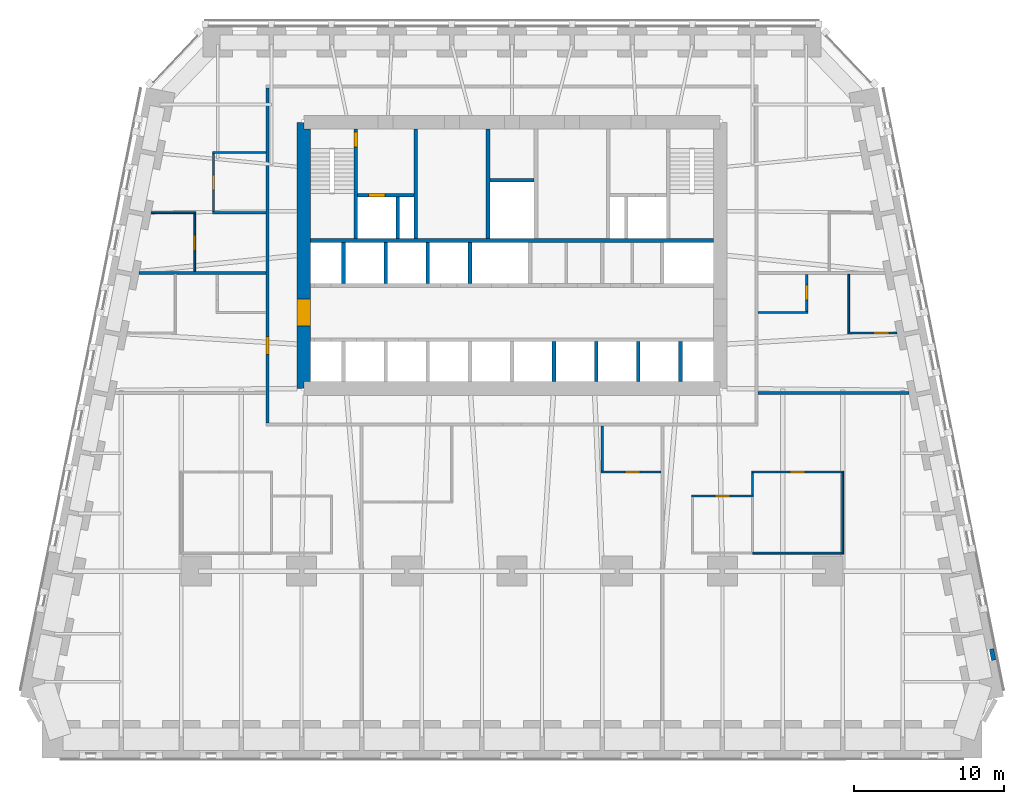
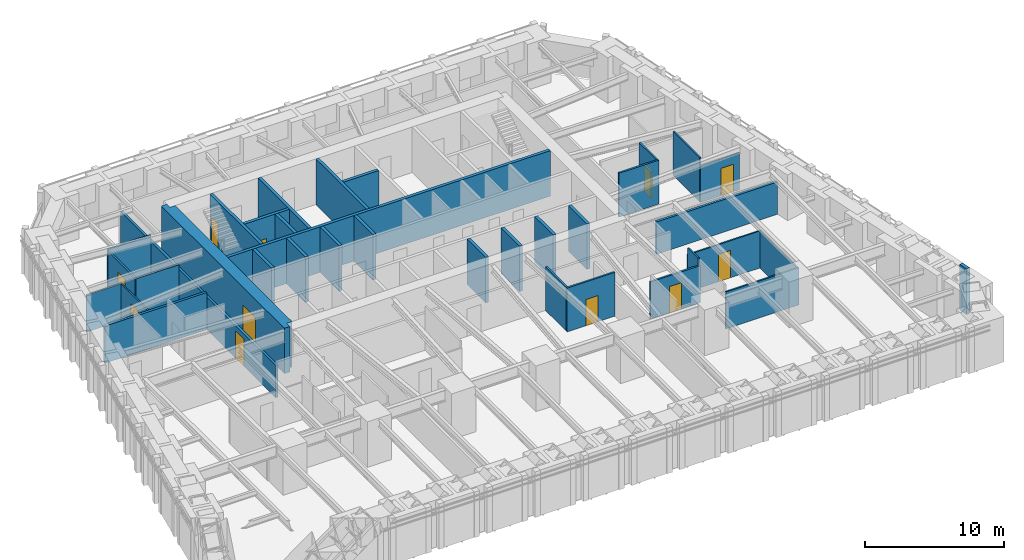
# One storey, part 13 of 16: 36 walls, 11 doors, 11 openings.
"""IFC4 building model written with IfcOpenShell, lengths in metres."""

from ifc_helpers import new_model, si_unit, direction, frame, frame_2d, origin, place, context, subcontext, project, spatial, polyline, rectangle, outline, extrude, material, layer, layer_set, type_object, element, fill, save


model = new_model("IFC4")

# Units and contexts
model_context = context("Model", 3, precision=1e-05, world=origin(), true_north=direction((0.0, 1.0)))
body_context = subcontext(model_context, "Body", "Model", "MODEL_VIEW")
ifc_project = project(units=[si_unit("LENGTHUNIT", "METRE"), si_unit("AREAUNIT", "SQUARE_METRE"), si_unit("VOLUMEUNIT", "CUBIC_METRE"), si_unit("PLANEANGLEUNIT", "RADIAN"), si_unit("MASSUNIT", "GRAM", prefix="KILO")], contexts=[model_context])

# Site, building, storey
site_placement = place(None, origin())
site = spatial("IfcSite", under=ifc_project, at=site_placement, CompositionType="ELEMENT")
building_placement = place(site_placement, origin())
building = spatial("IfcBuilding", under=site, at=building_placement, Name="Isbrekke Arena Tower", CompositionType="ELEMENT")
storey_placement = place(building_placement, frame((0.0, 0.0, 40.0)))
storey = spatial("IfcBuildingStorey", under=building, at=storey_placement, Name="L07", CompositionType="ELEMENT", Elevation=40.0)

# Wall, opening, door
ifc_material_1 = material(Name="Concrete B65 (C65/80)", Category="concrete")
ifc_layer_1 = layer(ifc_material_1, 0.89990234375)
ifc_layer_set_1 = layer_set([ifc_layer_1], Name="CW2 CORE WALL 900")
wall_type_1 = type_object("IfcWallType", Name="CW2 CORE WALL 900", PredefinedType="SHEAR", material=ifc_layer_set_1)
wall_1_placement = place(storey_placement, frame((-13.85009765625, 23.85009765625, 0.0), z_axis=(0.0, 0.0, 1.0), x_axis=(0.0, -1.0, 0.0)))
wall_1 = element("IfcWall", 1, at=wall_1_placement, inside=storey, type_object=wall_type_1, Name="Core wall W L07", PredefinedType="SHEAR", context=body_context, shape_type="SweptSolid", body=[
    extrude(outline(polyline([(0.0, -0.449951171875), (17.7001953125, -0.449951171875), (17.7001953125, 0.0), (17.250244140625, 0.0), (17.250244140625, 0.449951171875), (0.449951171875, 0.449951171875), (0.449951171875, 0.0), (0.0, 0.0), (0.0, -0.449951171875)])), origin(), (0.0, 0.0, 1.0), 4.0),
])
opening_1_placement = place(wall_1_placement, frame((11.75, 0.0, 0.0)))
opening_1 = element("IfcOpeningElement", 2, at=opening_1_placement, cuts=wall_1, Name="Opening D1", PredefinedType="OPENING", context=body_context, shape_type="SweptSolid", body=[
    extrude(rectangle(XDim=1.800048828125, YDim=2.39990234375, at=frame_2d((0.89990234375, 1.199951171875))), frame((0.0, 0.46484375, 0.0), z_axis=(0.0, -1.0, 0.0), x_axis=(1.0, 0.0, 0.0)), (0.0, 0.0, 1.0), 0.9296875),
])
ifc_material_2 = material(Name="Steel-framed glazed fire door", Category="steel")
door_type_1 = type_object("IfcDoorType", Name="D1 CORE LOBBY DOOR 1800 x 2400", OperationType="DOUBLE_DOOR_SINGLE_SWING", PredefinedType="DOOR", material=ifc_material_2)
door_1_placement = place(opening_1_placement, origin())
door_1 = element("IfcDoor", 3, at=door_1_placement, inside=storey, type_object=door_type_1, Name="D1 lift lobby door west L07", OperationType="DOUBLE_DOOR_SINGLE_SWING", OverallHeight=2.39990234375, OverallWidth=1.800048828125, PredefinedType="DOOR", context=body_context, shape_type="SweptSolid", body=[
    extrude(rectangle(XDim=1.800048828125, YDim=2.39990234375, at=frame_2d((0.89990234375, 1.199951171875))), frame((0.0, 0.44970703125, 0.0), z_axis=(0.0, -1.0, 0.0), x_axis=(1.0, 0.0, 0.0)), (0.0, 0.0, 1.0), 0.8994140625),
])
fill(opening_1, door_1)

# Walls
ifc_material_3 = material(Name="Concrete B45 (C45/55)", Category="concrete")
ifc_layer_2 = layer(ifc_material_3, 0.25)
ifc_layer_set_2 = layer_set([ifc_layer_2], Name="CW6 SHAFT WALL 250")
wall_type_2 = type_object("IfcWallType", Name="CW6 SHAFT WALL 250", PredefinedType="SHEAR", material=ifc_layer_set_2)
wall_2_placement = place(storey_placement, frame((-13.39990234375, 16.0, 0.0), z_axis=(0.0, 0.0, 1.0), x_axis=(1.0, 0.0, 0.0)))
element("IfcWall", 4, at=wall_2_placement, inside=storey, type_object=wall_type_2, Name="Core wall NB L07", PredefinedType="SHEAR", context=body_context, shape_type="SweptSolid", body=[
    extrude(rectangle(XDim=26.7998046875, YDim=0.25, at=frame_2d((13.39990234375, 0.0))), origin(), (0.0, 0.0, 1.0), 4.0),
])
for number, where, z_axis, x_axis, name in (
    (5, (2.800048828125, 6.60009765625, 0.0), (0.0, 0.0, 1.0), (0.0, 1.0, 0.0), "Core wall SS06 L07"),
    (6, (5.60009765625, 6.60009765625, 0.0), (0.0, 0.0, 1.0), (0.0, 1.0, 0.0), "Core wall SS07 L07"),
    (7, (8.39990234375, 6.60009765625, 0.0), (0.0, 0.0, 1.0), (0.0, 1.0, 0.0), "Core wall SS08 L07"),
    (8, (11.199951171875, 6.60009765625, 0.0), (0.0, 0.0, 1.0), (0.0, 1.0, 0.0), "Core wall SS09 L07"),
):
    element("IfcWall", number, at=place(storey_placement, frame(where, z_axis=z_axis, x_axis=x_axis)), inside=storey, type_object=wall_type_2, Name=name, PredefinedType="SHEAR", context=body_context, shape_type="SweptSolid", body=[
        extrude(rectangle(XDim=2.6748046875, YDim=0.25, at=frame_2d((1.33740234375, 0.0))), origin(), (0.0, 0.0, 1.0), 4.0),
    ])
for number, where, z_axis, x_axis, name in (
    (9, (-11.199951171875, 13.125, 0.0), (0.0, 0.0, 1.0), (0.0, 1.0, 0.0), "Core wall SN01 L07"),
    (10, (-8.39990234375, 13.125, 0.0), (0.0, 0.0, 1.0), (0.0, 1.0, 0.0), "Core wall SN02 L07"),
    (11, (-5.60009765625, 13.125, 0.0), (0.0, 0.0, 1.0), (0.0, 1.0, 0.0), "Core wall SN03 L07"),
    (12, (-2.800048828125, 13.125, 0.0), (0.0, 0.0, 1.0), (0.0, 1.0, 0.0), "Core wall SN04 L07"),
):
    element("IfcWall", number, at=place(storey_placement, frame(where, z_axis=z_axis, x_axis=x_axis)), inside=storey, type_object=wall_type_2, Name=name, PredefinedType="SHEAR", context=body_context, shape_type="SweptSolid", body=[
        extrude(rectangle(XDim=2.75, YDim=0.25, at=frame_2d((1.375, 0.0))), origin(), (0.0, 0.0, 1.0), 4.0),
    ])

# Wall, opening, door
wall_3_placement = place(storey_placement, frame((-10.39990234375, 16.125, 0.0), z_axis=(0.0, 0.0, 1.0), x_axis=(0.0, 1.0, 0.0)))
wall_3 = element("IfcWall", 13, at=wall_3_placement, inside=storey, type_object=wall_type_2, Name="Core wall NV01 L07", PredefinedType="SHEAR", context=body_context, shape_type="SweptSolid", body=[
    extrude(rectangle(XDim=7.27490234375, YDim=0.25, at=frame_2d((3.637451171875, 0.0))), origin(), (0.0, 0.0, 1.0), 4.0),
])
opening_2_placement = place(wall_3_placement, frame((6.074951171875, 0.0, 0.0)))
opening_2 = element("IfcOpeningElement", 14, at=opening_2_placement, cuts=wall_3, Name="Opening D2", PredefinedType="OPENING", context=body_context, shape_type="SweptSolid", body=[
    extrude(rectangle(XDim=1.0, YDim=2.10009765625, at=frame_2d((0.5, 1.050048828125))), frame((0.0, 0.139892578125, 0.0), z_axis=(0.0, -1.0, 0.0), x_axis=(1.0, 0.0, 0.0)), (0.0, 0.0, 1.0), 0.27978515625),
])
ifc_material_4 = material(Name="Steel fire door", Category="steel")
door_type_2 = type_object("IfcDoorType", Name="D2 STAIR DOOR 1000 x 2100", OperationType="SINGLE_SWING_LEFT", PredefinedType="DOOR", material=ifc_material_4)
door_2_placement = place(opening_2_placement, origin())
door_2 = element("IfcDoor", 15, at=door_2_placement, inside=storey, type_object=door_type_2, Name="D2 stair door ST1 L07", OperationType="SINGLE_SWING_LEFT", OverallHeight=2.10009765625, OverallWidth=1.0, PredefinedType="DOOR", context=body_context, shape_type="SweptSolid", body=[
    extrude(rectangle(XDim=1.0, YDim=2.10009765625, at=frame_2d((0.5, 1.050048828125))), frame((0.0, 0.124755859375, 0.0), z_axis=(0.0, -1.0, 0.0), x_axis=(1.0, 0.0, 0.0)), (0.0, 0.0, 1.0), 0.24951171875),
])
fill(opening_2, door_2)

# Walls
for number, where, z_axis, x_axis, name in (
    (16, (-6.39990234375, 16.125, 0.0), (0.0, 0.0, 1.0), (0.0, 1.0, 0.0), "Core wall NV02 L07"),
    (17, (-1.60009765625, 16.125, 0.0), (0.0, 0.0, 1.0), (0.0, 1.0, 0.0), "Core wall NV03 L07"),
):
    element("IfcWall", number, at=place(storey_placement, frame(where, z_axis=z_axis, x_axis=x_axis)), inside=storey, type_object=wall_type_2, Name=name, PredefinedType="SHEAR", context=body_context, shape_type="SweptSolid", body=[
        extrude(rectangle(XDim=7.27490234375, YDim=0.25, at=frame_2d((3.637451171875, 0.0))), origin(), (0.0, 0.0, 1.0), 4.0),
    ])

# Wall, opening, door
wall_4_placement = place(storey_placement, frame((-10.27490234375, 19.0, 0.0), z_axis=(0.0, 0.0, 1.0), x_axis=(1.0, 0.0, 0.0)))
wall_4 = element("IfcWall", 18, at=wall_4_placement, inside=storey, type_object=wall_type_2, Name="Core wall NFW L07", PredefinedType="SHEAR", context=body_context, shape_type="SweptSolid", body=[
    extrude(rectangle(XDim=3.75, YDim=0.25, at=frame_2d((1.875, 0.0))), origin(), (0.0, 0.0, 1.0), 4.0),
])
opening_3_placement = place(wall_4_placement, frame((0.72509765625, 0.0, 0.0)))
opening_3 = element("IfcOpeningElement", 19, at=opening_3_placement, cuts=wall_4, Name="Opening LD2", PredefinedType="OPENING", context=body_context, shape_type="SweptSolid", body=[
    extrude(rectangle(XDim=1.10009765625, YDim=2.10009765625, at=frame_2d((0.550048828125, 1.050048828125))), frame((0.0, 0.139892578125, 0.0), z_axis=(0.0, -1.0, 0.0), x_axis=(1.0, 0.0, 0.0)), (0.0, 0.0, 1.0), 0.27978515625),
])
ifc_material_5 = material(Name="Stainless steel lift landing door", Category="steel")
door_type_3 = type_object("IfcDoorType", Name="LD2 FIRE-FIGHTING LIFT LANDING DOOR 1100 x 2100", OperationType="SLIDING_TO_RIGHT", PredefinedType="DOOR", material=ifc_material_5)
door_3_placement = place(opening_3_placement, origin())
door_3 = element("IfcDoor", 20, at=door_3_placement, inside=storey, type_object=door_type_3, Name="LD2 lift landing door LF L07", OperationType="SLIDING_TO_RIGHT", OverallHeight=2.10009765625, OverallWidth=1.10009765625, PredefinedType="DOOR", context=body_context, shape_type="SweptSolid", body=[
    extrude(rectangle(XDim=1.10009765625, YDim=2.10009765625, at=frame_2d((0.550048828125, 1.050048828125))), frame((0.0, 0.124755859375, 0.0), z_axis=(0.0, -1.0, 0.0), x_axis=(1.0, 0.0, 0.0)), (0.0, 0.0, 1.0), 0.24951171875),
])
fill(opening_3, door_3)

# Walls
wall_5_placement = place(storey_placement, frame((-7.60009765625, 16.125, 0.0), z_axis=(0.0, 0.0, 1.0), x_axis=(0.0, 1.0, 0.0)))
element("IfcWall", 21, at=wall_5_placement, inside=storey, type_object=wall_type_2, Name="Core wall NFS1 L07", PredefinedType="SHEAR", context=body_context, shape_type="SweptSolid", body=[
    extrude(rectangle(XDim=2.75, YDim=0.25, at=frame_2d((1.375, 0.0))), origin(), (0.0, 0.0, 1.0), 4.0),
])
wall_6_placement = place(storey_placement, frame((-1.47509765625, 20.0, 0.0), z_axis=(0.0, 0.0, 1.0), x_axis=(1.0, 0.0, 0.0)))
element("IfcWall", 22, at=wall_6_placement, inside=storey, type_object=wall_type_2, Name="Core wall NWC L07", PredefinedType="SHEAR", context=body_context, shape_type="SweptSolid", body=[
    extrude(rectangle(XDim=2.9501953125, YDim=0.25, at=frame_2d((1.47509765625, 0.0))), origin(), (0.0, 0.0, 1.0), 4.0),
])
ifc_material_6 = material(Name="Insulated aluminium panel on steel framing", Category="steel")
ifc_layer_3 = layer(ifc_material_6, 0.300048828125)
ifc_layer_set_3 = layer_set([ifc_layer_3], Name="EW4 INSULATED PANEL WALL 300")
wall_type_3 = type_object("IfcWallType", Name="EW4 INSULATED PANEL WALL 300", PredefinedType="SOLIDWALL", material=ifc_layer_set_3)
wall_7_placement = place(storey_placement, frame((32.0380859375, -11.916259765625, 0.0), z_axis=(0.0, 0.0, 1.0), x_axis=(-0.195867092459, 0.980630451338, 0.0)))
element("IfcWall", 23, at=wall_7_placement, inside=storey, type_object=wall_type_3, Name="EW4 closure panel L07-E 1", PredefinedType="SOLIDWALL", context=body_context, shape_type="SweptSolid", body=[
    extrude(rectangle(XDim=0.754150390625, YDim=0.300048828125, at=frame_2d((0.376953125, 0.0))), origin(), (0.0, 0.0, 1.0), 4.0),
])

# Wall, opening, door
ifc_material_7 = material(Name="Gypsum board partition on steel studs", Category="steel")
ifc_layer_4 = layer(ifc_material_7, 0.14990234375)
ifc_layer_set_4 = layer_set([ifc_layer_4], Name="IW1 PARTITION 150")
wall_type_4 = type_object("IfcWallType", Name="IW1 PARTITION 150", PredefinedType="PARTITIONING", material=ifc_layer_set_4)
wall_8_placement = place(storey_placement, frame((11.925048828125, -1.0, 0.0), z_axis=(0.0, 0.0, 1.0), x_axis=(1.0, 0.0, 0.0)))
wall_8 = element("IfcWall", 24, at=wall_8_placement, inside=storey, type_object=wall_type_4, Name="IW1 partition 150 L07", PredefinedType="PARTITIONING", context=body_context, shape_type="SweptSolid", body=[
    extrude(rectangle(XDim=4.135009765625, YDim=0.14990234375, at=frame_2d((2.0673828125, 0.0))), origin(), (0.0, 0.0, 1.0), 3.25),
])
opening_4_placement = place(wall_8_placement, frame((1.574951171875, 0.0, 0.0)))
opening_4 = element("IfcOpeningElement", 25, at=opening_4_placement, cuts=wall_8, Name="Opening D10", PredefinedType="OPENING", context=body_context, shape_type="SweptSolid", body=[
    extrude(rectangle(XDim=1.0, YDim=2.300048828125, at=frame_2d((0.5, 1.14990234375))), frame((0.0, 0.08984375, 0.0), z_axis=(0.0, -1.0, 0.0), x_axis=(1.0, 0.0, 0.0)), (0.0, 0.0, 1.0), 0.1796875),
])
ifc_material_8 = material(Name="Timber door", Category="wood")
door_type_4 = type_object("IfcDoorType", Name="D10 OFFICE DOOR 1000 x 2300", OperationType="SINGLE_SWING_LEFT", PredefinedType="DOOR", material=ifc_material_8)
door_4_placement = place(opening_4_placement, origin())
door_4 = element("IfcDoor", 26, at=door_4_placement, inside=storey, type_object=door_type_4, Name="D10 tea point door L07", OperationType="SINGLE_SWING_LEFT", OverallHeight=2.300048828125, OverallWidth=1.0, PredefinedType="DOOR", context=body_context, shape_type="SweptSolid", body=[
    extrude(rectangle(XDim=1.0, YDim=2.300048828125, at=frame_2d((0.5, 1.14990234375))), frame((0.0, 0.07470703125, 0.0), z_axis=(0.0, -1.0, 0.0), x_axis=(1.0, 0.0, 0.0)), (0.0, 0.0, 1.0), 0.1494140625),
])
fill(opening_4, door_4)

wall_9_placement = place(storey_placement, frame((5.925048828125, 0.60009765625, 0.0), z_axis=(0.0, 0.0, 1.0), x_axis=(1.0, 0.0, 0.0)))
wall_9 = element("IfcWall", 27, at=wall_9_placement, inside=storey, type_object=wall_type_4, Name="IW1 partition 150 L07", PredefinedType="PARTITIONING", context=body_context, shape_type="SweptSolid", body=[
    extrude(rectangle(XDim=3.974853515625, YDim=0.14990234375, at=frame_2d((1.9873046875, 0.0))), origin(), (0.0, 0.0, 1.0), 3.85009765625),
])
opening_5_placement = place(wall_9_placement, frame((1.574951171875, 0.0, 0.0)))
opening_5 = element("IfcOpeningElement", 28, at=opening_5_placement, cuts=wall_9, Name="Opening D10", PredefinedType="OPENING", context=body_context, shape_type="SweptSolid", body=[
    extrude(rectangle(XDim=1.0, YDim=2.300048828125, at=frame_2d((0.5, 1.14990234375))), frame((0.0, 0.08984375, 0.0), z_axis=(0.0, -1.0, 0.0), x_axis=(1.0, 0.0, 0.0)), (0.0, 0.0, 1.0), 0.1796875),
])
door_5_placement = place(opening_5_placement, origin())
door_5 = element("IfcDoor", 29, at=door_5_placement, inside=storey, type_object=door_type_4, Name="D10 tea point door L07", OperationType="SINGLE_SWING_LEFT", OverallHeight=2.300048828125, OverallWidth=1.0, PredefinedType="DOOR", context=body_context, shape_type="SweptSolid", body=[
    extrude(rectangle(XDim=1.0, YDim=2.300048828125, at=frame_2d((0.5, 1.14990234375))), frame((0.0, 0.07470703125, 0.0), z_axis=(0.0, -1.0, 0.0), x_axis=(1.0, 0.0, 0.0)), (0.0, 0.0, 1.0), 0.1494140625),
])
fill(opening_5, door_5)

# Walls
wall_10_placement = place(storey_placement, frame((16.35009765625, 11.199951171875, 0.0), z_axis=(0.0, 0.0, 1.0), x_axis=(1.0, 0.0, 0.0)))
element("IfcWall", 30, at=wall_10_placement, inside=storey, type_object=wall_type_4, Name="IW1 partition 150 L07", PredefinedType="PARTITIONING", context=body_context, shape_type="SweptSolid", body=[
    extrude(rectangle(XDim=3.324951171875, YDim=0.14990234375, at=frame_2d((1.66259765625, 0.0))), origin(), (0.0, 0.0, 1.0), 3.85009765625),
])
wall_11_placement = place(storey_placement, frame((-19.925048828125, 17.840087890625, 0.0), z_axis=(0.0, 0.0, 1.0), x_axis=(1.0, 0.0, 0.0)))
element("IfcWall", 31, at=wall_11_placement, inside=storey, type_object=wall_type_4, Name="IW1 partition 150 L07", PredefinedType="PARTITIONING", context=body_context, shape_type="SweptSolid", body=[
    extrude(rectangle(XDim=3.574951171875, YDim=0.14990234375, at=frame_2d((1.78759765625, 0.0))), origin(), (0.0, 0.0, 1.0), 3.25),
])
wall_12_placement = place(storey_placement, frame((-19.925048828125, 21.840087890625, 0.0), z_axis=(0.0, 0.0, 1.0), x_axis=(1.0, 0.0, 0.0)))
element("IfcWall", 32, at=wall_12_placement, inside=storey, type_object=wall_type_4, Name="IW1 partition 150 L07", PredefinedType="PARTITIONING", context=body_context, shape_type="SweptSolid", body=[
    extrude(rectangle(XDim=3.574951171875, YDim=0.14990234375, at=frame_2d((1.78759765625, 0.0))), origin(), (0.0, 0.0, 1.0), 3.39990234375),
])

# Wall, opening, door
wall_13_placement = place(storey_placement, frame((-19.85009765625, 17.9150390625, 0.0), z_axis=(0.0, 0.0, 1.0), x_axis=(0.0, 1.0, 0.0)))
wall_13 = element("IfcWall", 33, at=wall_13_placement, inside=storey, type_object=wall_type_4, Name="IW1 partition 150 L07", PredefinedType="PARTITIONING", context=body_context, shape_type="SweptSolid", body=[
    extrude(rectangle(XDim=3.849853515625, YDim=0.14990234375, at=frame_2d((1.9248046875, 0.0))), origin(), (0.0, 0.0, 1.0), 3.25),
])
opening_6_placement = place(wall_13_placement, frame((1.425048828125, 0.0, 0.0)))
opening_6 = element("IfcOpeningElement", 34, at=opening_6_placement, cuts=wall_13, Name="Opening D10", PredefinedType="OPENING", context=body_context, shape_type="SweptSolid", body=[
    extrude(rectangle(XDim=1.0, YDim=2.300048828125, at=frame_2d((0.5, 1.14990234375))), frame((0.0, 0.08984375, 0.0), z_axis=(0.0, -1.0, 0.0), x_axis=(1.0, 0.0, 0.0)), (0.0, 0.0, 1.0), 0.1796875),
])
door_6_placement = place(opening_6_placement, origin())
door_6 = element("IfcDoor", 35, at=door_6_placement, inside=storey, type_object=door_type_4, Name="D10 tea point door L07", OperationType="SINGLE_SWING_LEFT", OverallHeight=2.300048828125, OverallWidth=1.0, PredefinedType="DOOR", context=body_context, shape_type="SweptSolid", body=[
    extrude(rectangle(XDim=1.0, YDim=2.300048828125, at=frame_2d((0.5, 1.14990234375))), frame((0.0, 0.07470703125, 0.0), z_axis=(0.0, -1.0, 0.0), x_axis=(1.0, 0.0, 0.0)), (0.0, 0.0, 1.0), 0.1494140625),
])
fill(opening_6, door_6)

# Wall
wall_14_placement = place(storey_placement, frame((6.0, 0.675048828125, 0.0), z_axis=(0.0, 0.0, 1.0), x_axis=(0.0, 1.0, 0.0)))
element("IfcWall", 36, at=wall_14_placement, inside=storey, type_object=wall_type_4, Name="IW1 partition 150 L07", PredefinedType="PARTITIONING", context=body_context, shape_type="SweptSolid", body=[
    extrude(rectangle(XDim=2.974853515625, YDim=0.14990234375, at=frame_2d((1.4873046875, 0.0))), origin(), (0.0, 0.0, 1.0), 3.85009765625),
])

# Wall, opening, door
wall_15_placement = place(storey_placement, frame((19.60009765625, 11.27490234375, 0.0), z_axis=(0.0, 0.0, 1.0), x_axis=(0.0, 1.0, 0.0)))
wall_15 = element("IfcWall", 37, at=wall_15_placement, inside=storey, type_object=wall_type_4, Name="IW1 partition 150 L07", PredefinedType="PARTITIONING", context=body_context, shape_type="SweptSolid", body=[
    extrude(rectangle(XDim=2.465087890625, YDim=0.14990234375, at=frame_2d((1.232421875, 0.0))), origin(), (0.0, 0.0, 1.0), 3.85009765625),
])
opening_7_placement = place(wall_15_placement, frame((0.7451171875, 0.0, 0.0)))
opening_7 = element("IfcOpeningElement", 38, at=opening_7_placement, cuts=wall_15, Name="Opening D10", PredefinedType="OPENING", context=body_context, shape_type="SweptSolid", body=[
    extrude(rectangle(XDim=1.0, YDim=2.300048828125, at=frame_2d((0.5, 1.14990234375))), frame((0.0, 0.08984375, 0.0), z_axis=(0.0, -1.0, 0.0), x_axis=(1.0, 0.0, 0.0)), (0.0, 0.0, 1.0), 0.1796875),
])
door_7_placement = place(opening_7_placement, origin())
door_7 = element("IfcDoor", 39, at=door_7_placement, inside=storey, type_object=door_type_4, Name="D10 tea point door L07", OperationType="SINGLE_SWING_LEFT", OverallHeight=2.300048828125, OverallWidth=1.0, PredefinedType="DOOR", context=body_context, shape_type="SweptSolid", body=[
    extrude(rectangle(XDim=1.0, YDim=2.300048828125, at=frame_2d((0.5, 1.14990234375))), frame((0.0, 0.07470703125, 0.0), z_axis=(0.0, -1.0, 0.0), x_axis=(1.0, 0.0, 0.0)), (0.0, 0.0, 1.0), 0.1494140625),
])
fill(opening_7, door_7)

# Wall
ifc_material_9 = material(Name="Frameless glazed partition, laminated acoustic glass", Category="glass")
ifc_layer_5 = layer(ifc_material_9, 0.1201171875)
ifc_layer_set_5 = layer_set([ifc_layer_5], Name="IW2 GLAZED PARTITION 120")
wall_type_5 = type_object("IfcWallType", Name="IW2 GLAZED PARTITION 120", PredefinedType="PARTITIONING", material=ifc_layer_set_5)
wall_16_placement = place(storey_placement, frame((16.0, -4.800048828125, 0.0), z_axis=(0.0, 0.0, 1.0), x_axis=(1.0, 0.0, 0.0)))
element("IfcWall", 40, at=wall_16_placement, inside=storey, type_object=wall_type_5, Name="IW2 glazed partition 120 L07", PredefinedType="PARTITIONING", context=body_context, shape_type="SweptSolid", body=[
    extrude(rectangle(XDim=6.06005859375, YDim=0.1201171875, at=frame_2d((3.030029296875, 0.0))), origin(), (0.0, 0.0, 1.0), 3.25),
])

# Wall, opening, door
wall_17_placement = place(storey_placement, frame((15.93994140625, 0.60009765625, 0.0), z_axis=(0.0, 0.0, 1.0), x_axis=(1.0, 0.0, 0.0)))
wall_17 = element("IfcWall", 41, at=wall_17_placement, inside=storey, type_object=wall_type_5, Name="IW2 glazed partition 120 L07", PredefinedType="PARTITIONING", context=body_context, shape_type="SweptSolid", body=[
    extrude(rectangle(XDim=6.1201171875, YDim=0.1201171875, at=frame_2d((3.06005859375, 0.0))), origin(), (0.0, 0.0, 1.0), 3.25),
])
opening_8_placement = place(wall_17_placement, frame((2.56005859375, 0.0, 0.0)))
opening_8 = element("IfcOpeningElement", 42, at=opening_8_placement, cuts=wall_17, Name="Opening D11", PredefinedType="OPENING", context=body_context, shape_type="SweptSolid", body=[
    extrude(rectangle(XDim=1.0, YDim=2.39990234375, at=frame_2d((0.5, 1.199951171875))), frame((0.0, 0.074951171875, 0.0), z_axis=(0.0, -1.0, 0.0), x_axis=(1.0, 0.0, 0.0)), (0.0, 0.0, 1.0), 0.14990234375),
])
ifc_material_10 = material(Name="Frameless glazed door", Category="glass")
door_type_5 = type_object("IfcDoorType", Name="D11 GLAZED MEETING ROOM DOOR 1000 x 2400", OperationType="SINGLE_SWING_RIGHT", PredefinedType="DOOR", material=ifc_material_10)
door_8_placement = place(opening_8_placement, origin())
door_8 = element("IfcDoor", 43, at=door_8_placement, inside=storey, type_object=door_type_5, Name="D11 meeting room door L07", OperationType="SINGLE_SWING_RIGHT", OverallHeight=2.39990234375, OverallWidth=1.0, PredefinedType="DOOR", context=body_context, shape_type="SweptSolid", body=[
    extrude(rectangle(XDim=1.0, YDim=2.39990234375, at=frame_2d((0.5, 1.199951171875))), frame((0.0, 0.059814453125, 0.0), z_axis=(0.0, -1.0, 0.0), x_axis=(1.0, 0.0, 0.0)), (0.0, 0.0, 1.0), 0.11962890625),
])
fill(opening_8, door_8)

wall_18_placement = place(storey_placement, frame((22.340087890625, 9.840087890625, 0.0), z_axis=(0.0, 0.0, 1.0), x_axis=(1.0, 0.0, 0.0)))
wall_18 = element("IfcWall", 44, at=wall_18_placement, inside=storey, type_object=wall_type_5, Name="IW2 glazed partition 120 L07", PredefinedType="PARTITIONING", context=body_context, shape_type="SweptSolid", body=[
    extrude(rectangle(XDim=3.25634765625, YDim=0.1201171875, at=frame_2d((1.628173828125, 0.0))), origin(), (0.0, 0.0, 1.0), 3.25),
])
opening_9_placement = place(wall_18_placement, frame((1.718994140625, 0.0, 0.0)))
opening_9 = element("IfcOpeningElement", 45, at=opening_9_placement, cuts=wall_18, Name="Opening D11", PredefinedType="OPENING", context=body_context, shape_type="SweptSolid", body=[
    extrude(rectangle(XDim=1.0, YDim=2.39990234375, at=frame_2d((0.5, 1.199951171875))), frame((0.0, 0.074951171875, 0.0), z_axis=(0.0, -1.0, 0.0), x_axis=(1.0, 0.0, 0.0)), (0.0, 0.0, 1.0), 0.14990234375),
])
door_9_placement = place(opening_9_placement, origin())
door_9 = element("IfcDoor", 46, at=door_9_placement, inside=storey, type_object=door_type_5, Name="D11 meeting room door L07", OperationType="SINGLE_SWING_RIGHT", OverallHeight=2.39990234375, OverallWidth=1.0, PredefinedType="DOOR", context=body_context, shape_type="SweptSolid", body=[
    extrude(rectangle(XDim=1.0, YDim=2.39990234375, at=frame_2d((0.5, 1.199951171875))), frame((0.0, 0.059814453125, 0.0), z_axis=(0.0, -1.0, 0.0), x_axis=(1.0, 0.0, 0.0)), (0.0, 0.0, 1.0), 0.11962890625),
])
fill(opening_9, door_9)

# Wall
wall_19_placement = place(storey_placement, frame((-23.996337890625, 17.840087890625, 0.0), z_axis=(0.0, 0.0, 1.0), x_axis=(1.0, 0.0, 0.0)))
element("IfcWall", 47, at=wall_19_placement, inside=storey, type_object=wall_type_5, Name="IW2 glazed partition 120 L07", PredefinedType="PARTITIONING", context=body_context, shape_type="SweptSolid", body=[
    extrude(rectangle(XDim=2.956298828125, YDim=0.1201171875, at=frame_2d((1.47802734375, 0.0))), origin(), (0.0, 0.0, 1.0), 3.25),
])

# Wall, opening, door
wall_20_placement = place(storey_placement, frame((-21.10009765625, 13.93994140625, 0.0), z_axis=(0.0, 0.0, 1.0), x_axis=(0.0, 1.0, 0.0)))
wall_20 = element("IfcWall", 48, at=wall_20_placement, inside=storey, type_object=wall_type_5, Name="IW2 glazed partition 120 L07", PredefinedType="PARTITIONING", context=body_context, shape_type="SweptSolid", body=[
    extrude(rectangle(XDim=3.840087890625, YDim=0.1201171875, at=frame_2d((1.919921875, 0.0))), origin(), (0.0, 0.0, 1.0), 3.25),
])
opening_10_placement = place(wall_20_placement, frame((1.39990234375, 0.0, 0.0)))
opening_10 = element("IfcOpeningElement", 49, at=opening_10_placement, cuts=wall_20, Name="Opening D11", PredefinedType="OPENING", context=body_context, shape_type="SweptSolid", body=[
    extrude(rectangle(XDim=1.0, YDim=2.39990234375, at=frame_2d((0.5, 1.199951171875))), frame((0.0, 0.074951171875, 0.0), z_axis=(0.0, -1.0, 0.0), x_axis=(1.0, 0.0, 0.0)), (0.0, 0.0, 1.0), 0.14990234375),
])
door_10_placement = place(opening_10_placement, origin())
door_10 = element("IfcDoor", 50, at=door_10_placement, inside=storey, type_object=door_type_5, Name="D11 meeting room door L07", OperationType="SINGLE_SWING_RIGHT", OverallHeight=2.39990234375, OverallWidth=1.0, PredefinedType="DOOR", context=body_context, shape_type="SweptSolid", body=[
    extrude(rectangle(XDim=1.0, YDim=2.39990234375, at=frame_2d((0.5, 1.199951171875))), frame((0.0, 0.059814453125, 0.0), z_axis=(0.0, -1.0, 0.0), x_axis=(1.0, 0.0, 0.0)), (0.0, 0.0, 1.0), 0.11962890625),
])
fill(opening_10, door_10)

# Walls
wall_21_placement = place(storey_placement, frame((16.0, -0.925048828125, 0.0), z_axis=(0.0, 0.0, 1.0), x_axis=(0.0, 1.0, 0.0)))
element("IfcWall", 51, at=wall_21_placement, inside=storey, type_object=wall_type_5, Name="IW2 glazed partition 120 L07", PredefinedType="PARTITIONING", context=body_context, shape_type="SweptSolid", body=[
    extrude(rectangle(XDim=1.465087890625, YDim=0.1201171875, at=frame_2d((0.732421875, 0.0))), origin(), (0.0, 0.0, 1.0), 3.85009765625),
])
wall_22_placement = place(storey_placement, frame((22.0, -4.739990234375, 0.0), z_axis=(0.0, 0.0, 1.0), x_axis=(0.0, 1.0, 0.0)))
element("IfcWall", 52, at=wall_22_placement, inside=storey, type_object=wall_type_5, Name="IW2 glazed partition 120 L07", PredefinedType="PARTITIONING", context=body_context, shape_type="SweptSolid", body=[
    extrude(rectangle(XDim=5.280029296875, YDim=0.1201171875, at=frame_2d((2.64013671875, 0.0))), origin(), (0.0, 0.0, 1.0), 3.25),
])
wall_23_placement = place(storey_placement, frame((22.39990234375, 9.89990234375, 0.0), z_axis=(0.0, 0.0, 1.0), x_axis=(0.0, 1.0, 0.0)))
element("IfcWall", 53, at=wall_23_placement, inside=storey, type_object=wall_type_5, Name="IW2 glazed partition 120 L07", PredefinedType="PARTITIONING", context=body_context, shape_type="SweptSolid", body=[
    extrude(rectangle(XDim=3.840087890625, YDim=0.1201171875, at=frame_2d((1.919921875, 0.0))), origin(), (0.0, 0.0, 1.0), 3.85009765625),
])
ifc_material_11 = material(Name="Gypsum board fire-cell wall on steel studs, two layers each side", Category="steel")
ifc_layer_6 = layer(ifc_material_11, 0.199951171875)
ifc_layer_set_6 = layer_set([ifc_layer_6], Name="IW3 FIRE-CELL WALL 200")
wall_type_6 = type_object("IfcWallType", Name="IW3 FIRE-CELL WALL 200", PredefinedType="PARTITIONING", material=ifc_layer_set_6)
wall_24_placement = place(storey_placement, frame((16.35009765625, 5.840087890625, 0.0), z_axis=(0.0, 0.0, 1.0), x_axis=(1.0, 0.0, 0.0)))
element("IfcWall", 54, at=wall_24_placement, inside=storey, type_object=wall_type_6, Name="IW3 fire-cell wall 200 L07", PredefinedType="PARTITIONING", context=body_context, shape_type="SweptSolid", body=[
    extrude(rectangle(XDim=10.04638671875, YDim=0.199951171875, at=frame_2d((5.023193359375, 0.0))), origin(), (0.0, 0.0, 1.0), 2.842041015625),
])
wall_25_placement = place(storey_placement, frame((-24.79638671875, 13.840087890625, 0.0), z_axis=(0.0, 0.0, 1.0), x_axis=(1.0, 0.0, 0.0)))
element("IfcWall", 55, at=wall_25_placement, inside=storey, type_object=wall_type_6, Name="IW3 fire-cell wall 200 L07", PredefinedType="PARTITIONING", context=body_context, shape_type="SweptSolid", body=[
    extrude(rectangle(XDim=8.4462890625, YDim=0.199951171875, at=frame_2d((4.22314453125, 0.0))), origin(), (0.0, 0.0, 1.0), 3.25),
])

# Wall, opening, door
wall_26_placement = place(storey_placement, frame((-16.25, 3.85009765625, 0.0), z_axis=(0.0, 0.0, 1.0), x_axis=(0.0, 1.0, 0.0)))
wall_26 = element("IfcWall", 56, at=wall_26_placement, inside=storey, type_object=wall_type_6, Name="IW3 fire-cell wall 200 L07", PredefinedType="PARTITIONING", context=body_context, shape_type="SweptSolid", body=[
    extrude(rectangle(XDim=22.2998046875, YDim=0.199951171875, at=frame_2d((11.14990234375, 0.0))), origin(), (0.0, 0.0, 1.0), 2.842041015625),
])
opening_11_placement = place(wall_26_placement, frame((4.550048828125, 0.0, 0.0)))
opening_11 = element("IfcOpeningElement", 57, at=opening_11_placement, cuts=wall_26, Name="Opening D12", PredefinedType="OPENING", context=body_context, shape_type="SweptSolid", body=[
    extrude(rectangle(XDim=1.199951171875, YDim=2.39990234375, at=frame_2d((0.60009765625, 1.199951171875))), frame((0.0, 0.11474609375, 0.0), z_axis=(0.0, -1.0, 0.0), x_axis=(1.0, 0.0, 0.0)), (0.0, 0.0, 1.0), 0.229736328125),
])
ifc_material_12 = material(Name="Timber fire door with vision panel", Category="wood")
door_type_6 = type_object("IfcDoorType", Name="D12 SUITE ENTRANCE DOOR 1200 x 2400", OperationType="SINGLE_SWING_LEFT", PredefinedType="DOOR", material=ifc_material_12)
door_11_placement = place(opening_11_placement, origin())
door_11 = element("IfcDoor", 58, at=door_11_placement, inside=storey, type_object=door_type_6, Name="D12 suite entrance W door L07", OperationType="SINGLE_SWING_LEFT", OverallHeight=2.39990234375, OverallWidth=1.199951171875, PredefinedType="DOOR", context=body_context, shape_type="SweptSolid", body=[
    extrude(rectangle(XDim=1.199951171875, YDim=2.39990234375, at=frame_2d((0.60009765625, 1.199951171875))), frame((0.0, 0.099609375, 0.0), z_axis=(0.0, -1.0, 0.0), x_axis=(1.0, 0.0, 0.0)), (0.0, 0.0, 1.0), 0.199462890625),
])
fill(opening_11, door_11)

save(model, "model.ifc")
